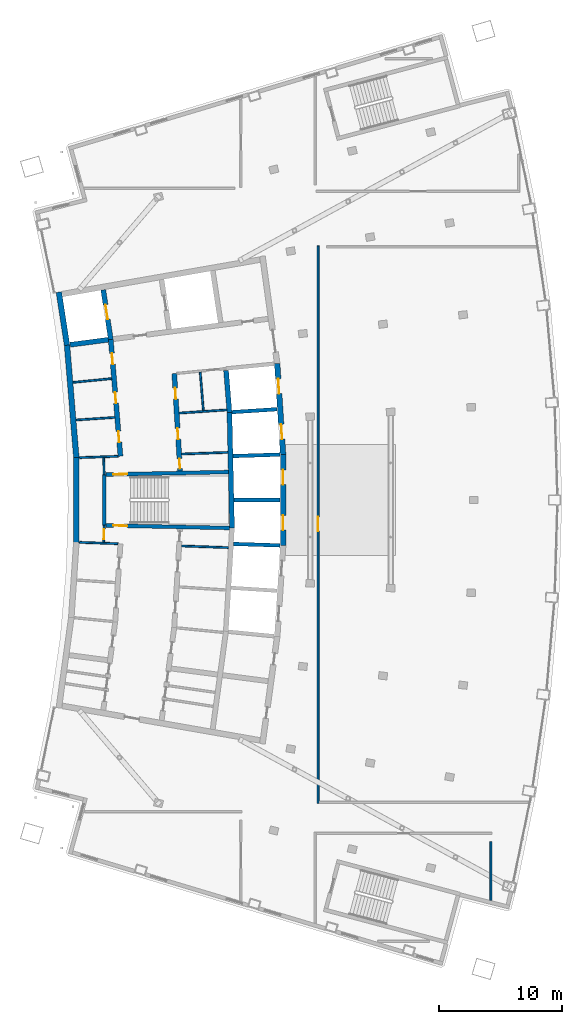
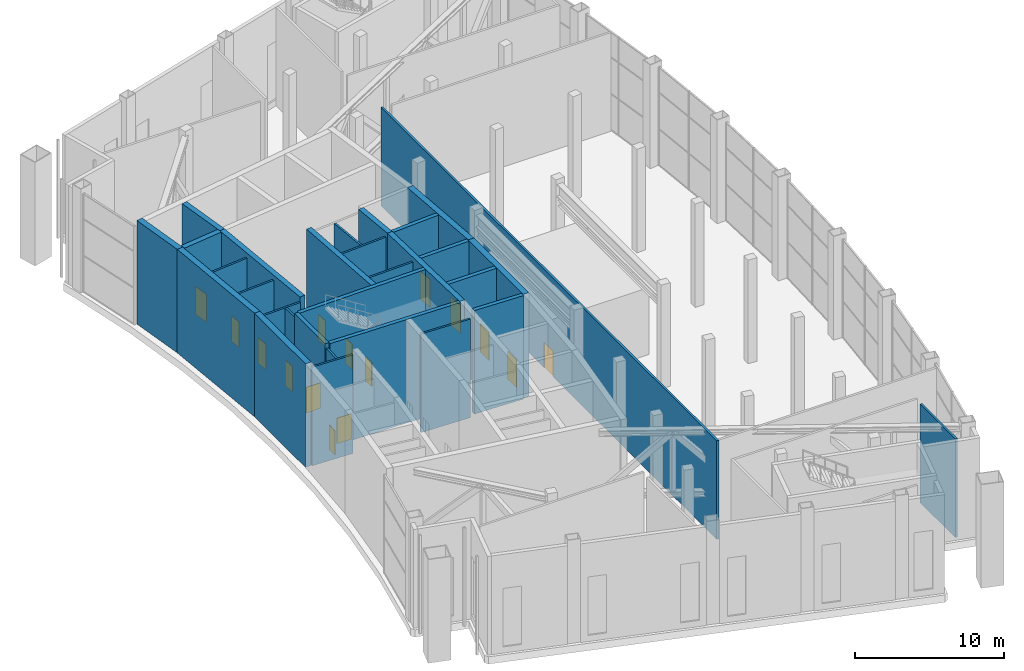
# One storey, part 19 of 25: 30 walls, 15 doors, 15 openings.
"""IFC4 building model written with IfcOpenShell, lengths in metres."""

from ifc_helpers import new_model, si_unit, direction, frame, frame_2d, origin, place, context, subcontext, project, spatial, rectangle, extrude, material, layer, layer_set, type_object, element, fill, save


model = new_model("IFC4")

# Units and contexts
model_context = context("Model", 3, precision=1e-05, world=origin(), true_north=direction((0.0, 1.0)))
body_context = subcontext(model_context, "Body", "Model", "MODEL_VIEW")
ifc_project = project(units=[si_unit("LENGTHUNIT", "METRE"), si_unit("AREAUNIT", "SQUARE_METRE"), si_unit("VOLUMEUNIT", "CUBIC_METRE"), si_unit("PLANEANGLEUNIT", "RADIAN"), si_unit("MASSUNIT", "GRAM", prefix="KILO")], contexts=[model_context])

# Site, building, storey
site_placement = place(None, origin())
site = spatial("IfcSite", under=ifc_project, at=site_placement, CompositionType="ELEMENT")
building_placement = place(site_placement, origin())
building = spatial("IfcBuilding", under=site, at=building_placement, Name="Alderwake Tower", CompositionType="ELEMENT")
storey_placement = place(building_placement, frame((0.0, 0.0, 296.0)))
storey = spatial("IfcBuildingStorey", under=building, at=storey_placement, Name="L73", CompositionType="ELEMENT", Elevation=296.0)

# Walls
ifc_material_1 = material(Name="Gypsum shaft wall system, rated")
ifc_layer_1 = layer(ifc_material_1, 0.14990234375)
ifc_layer_set_1 = layer_set([ifc_layer_1], Name="Core riser partition 150")
wall_type_1 = type_object("IfcWallType", Name="Core riser partition 150", PredefinedType="PARTITIONING", material=ifc_layer_set_1)
wall_1_placement = place(storey_placement, frame((25.1904296875, 57.276611328125, 0.0), z_axis=(0.0, 0.0, 1.0), x_axis=(0.999373547283, -0.03539086028, 0.0)))
element("IfcWall", 1, at=wall_1_placement, inside=storey, type_object=wall_type_1, Name="CW/L73/PR-37_+86", PredefinedType="PARTITIONING", context=body_context, shape_type="SweptSolid", body=[
    extrude(rectangle(XDim=3.794189453125, YDim=0.14990234375, at=frame_2d((1.89697265625, 0.0))), origin(), (0.0, 0.0, 1.0), 8.10009765625),
])
wall_2_placement = place(storey_placement, frame((25.191162109375, 64.723388671875, 0.0), z_axis=(0.0, 0.0, 1.0), x_axis=(0.999373256208, 0.035399078746, 0.0)))
element("IfcWall", 2, at=wall_2_placement, inside=storey, type_object=wall_type_1, Name="CW/L73/PR+37_+86", PredefinedType="PARTITIONING", context=body_context, shape_type="SweptSolid", body=[
    extrude(rectangle(XDim=3.751953125, YDim=0.14990234375, at=frame_2d((1.8759765625, 0.0))), origin(), (0.0, 0.0, 1.0), 8.10009765625),
])

# Wall, opening, door
ifc_material_2 = material(Name="Gypsum shaft wall system, rated")
ifc_layer_2 = layer(ifc_material_2, 0.14990234375)
ifc_layer_set_2 = layer_set([ifc_layer_2], Name="Core room partition 150")
wall_type_2 = type_object("IfcWallType", Name="Core room partition 150", PredefinedType="PARTITIONING", material=ifc_layer_set_2)
wall_3_placement = place(storey_placement, frame((18.918701171875, 58.94384765625, 0.0), z_axis=(0.0, 0.0, 1.0), x_axis=(-0.027811602725, -0.999613182563, 0.0)))
wall_3 = element("IfcWall", 3, at=wall_3_placement, inside=storey, type_object=wall_type_2, Name="CW/L73/PA+24_-37", PredefinedType="PARTITIONING", context=body_context, shape_type="SweptSolid", body=[
    extrude(rectangle(XDim=1.369384765625, YDim=0.14990234375, at=frame_2d((0.6845703125, 0.0))), origin(), (0.0, 0.0, 1.0), 8.10009765625),
])
opening_1_placement = place(wall_3_placement, frame((0.322998046875, 0.0, 0.0)))
opening_1 = element("IfcOpeningElement", 4, at=opening_1_placement, cuts=wall_3, Name="Opening C004", PredefinedType="OPENING", context=body_context, shape_type="SweptSolid", body=[
    extrude(rectangle(XDim=0.800048828125, YDim=2.0, at=frame_2d((0.39990234375, 1.0))), frame((0.0, 0.0849609375, 0.0), z_axis=(0.0, -1.0, 0.0), x_axis=(1.0, 0.0, 0.0)), (0.0, 0.0, 1.0), 0.169921875),
])
ifc_material_3 = material(Name="Painted steel leaf, rated", Category="steel")
door_type_1 = type_object("IfcDoorType", Name="Riser access door 800", OperationType="SINGLE_SWING_LEFT", PredefinedType="DOOR", material=ifc_material_3)
door_1_placement = place(opening_1_placement, origin())
door_1 = element("IfcDoor", 5, at=door_1_placement, inside=storey, type_object=door_type_1, Name="Riser access door", OperationType="SINGLE_SWING_RIGHT", OverallHeight=2.0, OverallWidth=0.800048828125, PredefinedType="DOOR", context=body_context, shape_type="SweptSolid", body=[
    extrude(rectangle(XDim=0.800048828125, YDim=2.0, at=frame_2d((0.39990234375, 1.0))), frame((0.0, 0.02490234375, 0.0), z_axis=(0.0, -1.0, 0.0), x_axis=(1.0, 0.0, 0.0)), (0.0, 0.0, 1.0), 0.050048828125),
])
fill(opening_1, door_1)

# Walls
wall_4_placement = place(storey_placement, frame((18.918701171875, 63.05517578125, 0.0), z_axis=(0.0, 0.0, 1.0), x_axis=(-0.027791791559, 0.99961373356, 0.0)))
element("IfcWall", 6, at=wall_4_placement, inside=storey, type_object=wall_type_2, Name="CW/L73/PA+24_+22", PredefinedType="PARTITIONING", context=body_context, shape_type="SweptSolid", body=[
    extrude(rectangle(XDim=1.370361328125, YDim=0.14990234375, at=frame_2d((0.68505859375, 0.0))), origin(), (0.0, 0.0, 1.0), 8.10009765625),
])
wall_5_placement = place(storey_placement, frame((26.954833984375, 68.245361328125, 0.0), z_axis=(0.0, 0.0, 1.0), x_axis=(-0.082122484008, 0.996622244193, 0.0)))
element("IfcWall", 7, at=wall_5_placement, inside=storey, type_object=wall_type_2, Name="CW/L73/PA+107_+70", PredefinedType="PARTITIONING", context=body_context, shape_type="SweptSolid", body=[
    extrude(rectangle(XDim=3.13037109375, YDim=0.14990234375, at=frame_2d((1.565185546875, 0.0))), origin(), (0.0, 0.0, 1.0), 8.10009765625),
])
for number, where, z_axis, x_axis, name in (
    (8, (16.91943359375, 57.5693359375, 0.0), (0.0, 0.0, 1.0), (0.99937416876, -0.035373306522, 0.0), "CW/L73/PR-37_+0"),
    (9, (16.91943359375, 64.4306640625, 0.0), (0.0, 0.0, 1.0), (0.99937416876, 0.035373306522, 0.0), "CW/L73/PR+37_+0"),
):
    element("IfcWall", number, at=place(storey_placement, frame(where, z_axis=z_axis, x_axis=x_axis)), inside=storey, type_object=wall_type_2, Name=name, PredefinedType="PARTITIONING", context=body_context, shape_type="SweptSolid", body=[
        extrude(rectangle(XDim=3.11962890625, YDim=0.14990234375, at=frame_2d((1.559814453125, 0.0))), origin(), (0.0, 0.0, 1.0), 8.10009765625),
    ])
wall_6_placement = place(storey_placement, frame((16.666748046875, 67.48046875, 0.0), z_axis=(0.0, 0.0, 1.0), x_axis=(0.997759431971, 0.066903781007, 0.0)))
element("IfcWall", 10, at=wall_6_placement, inside=storey, type_object=wall_type_2, Name="CW/L73/PR+70_+0", PredefinedType="PARTITIONING", context=body_context, shape_type="SweptSolid", body=[
    extrude(rectangle(XDim=3.116455078125, YDim=0.14990234375, at=frame_2d((1.55810546875, 0.0))), origin(), (0.0, 0.0, 1.0), 8.10009765625),
])
wall_7_placement = place(storey_placement, frame((24.992431640625, 68.038818359375, 0.0), z_axis=(0.0, 0.0, 1.0), x_axis=(0.997760236964, 0.066891774789, 0.0)))
element("IfcWall", 11, at=wall_7_placement, inside=storey, type_object=wall_type_2, Name="CW/L73/PR+70_+86", PredefinedType="PARTITIONING", context=body_context, shape_type="SweptSolid", body=[
    extrude(rectangle(XDim=3.86865234375, YDim=0.14990234375, at=frame_2d((1.934326171875, 0.0))), origin(), (0.0, 0.0, 1.0), 8.10009765625),
])
wall_8_placement = place(storey_placement, frame((16.4140625, 70.52734375, 0.0), z_axis=(0.0, 0.0, 1.0), x_axis=(0.995155156245, 0.098316911052, 0.0)))
element("IfcWall", 12, at=wall_8_placement, inside=storey, type_object=wall_type_2, Name="CW/L73/PR+103_+0", PredefinedType="PARTITIONING", context=body_context, shape_type="SweptSolid", body=[
    extrude(rectangle(XDim=3.116455078125, YDim=0.14990234375, at=frame_2d((1.55810546875, 0.0))), origin(), (0.0, 0.0, 1.0), 8.10009765625),
])
ifc_material_4 = material(Name="Concrete C70/85", Category="concrete")
ifc_layer_3 = layer(ifc_material_4, 0.449951171875)
ifc_layer_set_3 = layer_set([ifc_layer_3], Name="Core wall outer 450 C70-85")
wall_type_3 = type_object("IfcWallType", Name="Core wall outer 450 C70-85", PredefinedType="SHEAR", material=ifc_layer_set_3)
wall_9_placement = place(storey_placement, frame((16.66455078125, 57.5703125, 0.0), z_axis=(0.0, 0.0, 1.0), x_axis=(0.0, 1.0, 0.0)))
element("IfcWall", 13, at=wall_9_placement, inside=storey, type_object=wall_type_3, Name="Core wall CW.029", PredefinedType="SHEAR", context=body_context, shape_type="SweptSolid", body=[
    extrude(rectangle(XDim=6.861083984375, YDim=0.449951171875, at=frame_2d((3.4306640625, 0.0))), origin(), (0.0, 0.0, 1.0), 8.5),
])
wall_10_placement = place(storey_placement, frame((16.665283203125, 64.411865234375, 0.0), z_axis=(0.0, 0.0, 1.0), x_axis=(-0.082622520262, 0.9965809145, 0.0)))
element("IfcWall", 14, at=wall_10_placement, inside=storey, type_object=wall_type_3, Name="Core wall CW.026", PredefinedType="SHEAR", context=body_context, shape_type="SweptSolid", body=[
    extrude(rectangle(XDim=9.171875, YDim=0.449951171875, at=frame_2d((4.5859375, 0.0))), origin(), (0.0, 0.0, 1.0), 8.5),
])
wall_11_placement = place(storey_placement, frame((15.909423828125, 73.535888671875, 0.0), z_axis=(0.0, 0.0, 1.0), x_axis=(-0.151913962362, 0.988393721166, 0.0)))
element("IfcWall", 15, at=wall_11_placement, inside=storey, type_object=wall_type_3, Name="Core wall CW.025", PredefinedType="SHEAR", context=body_context, shape_type="SweptSolid", body=[
    extrude(rectangle(XDim=4.355224609375, YDim=0.449951171875, at=frame_2d((2.177734375, 0.0))), origin(), (0.0, 0.0, 1.0), 8.5),
])

# Wall, openings, doors
wall_12_placement = place(storey_placement, frame((33.4150390625, 57.30322265625, 0.0), z_axis=(0.0, 0.0, 1.0), x_axis=(0.0, 1.0, 0.0)))
wall_12 = element("IfcWall", 16, at=wall_12_placement, inside=storey, type_object=wall_type_3, Name="Core wall CW.023", PredefinedType="SHEAR", context=body_context, shape_type="SweptSolid", body=[
    extrude(rectangle(XDim=7.3935546875, YDim=0.449951171875, at=frame_2d((3.69677734375, 0.0))), origin(), (0.0, 0.0, 1.0), 8.5),
])
opening_2_placement = place(wall_12_placement, frame((1.251953125, 0.0, 0.0)))
opening_2 = element("IfcOpeningElement", 17, at=opening_2_placement, cuts=wall_12, Name="Opening LD-HP3", PredefinedType="OPENING", context=body_context, shape_type="SweptSolid", body=[
    extrude(rectangle(XDim=1.199951171875, YDim=2.300048828125, at=frame_2d((0.60009765625, 1.14990234375))), frame((0.0, 0.23486328125, 0.0), z_axis=(0.0, -1.0, 0.0), x_axis=(1.0, 0.0, 0.0)), (0.0, 0.0, 1.0), 0.469970703125),
])
opening_3_placement = place(wall_12_placement, frame((4.94140625, 0.0, 0.0)))
opening_3 = element("IfcOpeningElement", 18, at=opening_3_placement, cuts=wall_12, Name="Opening LD-HP4", PredefinedType="OPENING", context=body_context, shape_type="SweptSolid", body=[
    extrude(rectangle(XDim=1.199951171875, YDim=2.300048828125, at=frame_2d((0.60009765625, 1.14990234375))), frame((0.0, 0.23486328125, 0.0), z_axis=(0.0, -1.0, 0.0), x_axis=(1.0, 0.0, 0.0)), (0.0, 0.0, 1.0), 0.469970703125),
])
ifc_material_5 = material(Name="Stainless steel sliding leaf", Category="steel")
door_type_2 = type_object("IfcDoorType", Name="Lift landing door 1200", OperationType="SLIDING_TO_LEFT", PredefinedType="DOOR", material=ifc_material_5)
door_2_placement = place(opening_2_placement, origin())
door_2 = element("IfcDoor", 19, at=door_2_placement, inside=storey, type_object=door_type_2, Name="Lift landing door HP3", OperationType="SLIDING_TO_LEFT", OverallHeight=2.300048828125, OverallWidth=1.199951171875, PredefinedType="DOOR", context=body_context, shape_type="SweptSolid", body=[
    extrude(rectangle(XDim=1.199951171875, YDim=2.300048828125, at=frame_2d((0.60009765625, 1.14990234375))), frame((0.0, 0.02490234375, 0.0), z_axis=(0.0, -1.0, 0.0), x_axis=(1.0, 0.0, 0.0)), (0.0, 0.0, 1.0), 0.050048828125),
])
fill(opening_2, door_2)
door_3_placement = place(opening_3_placement, origin())
door_3 = element("IfcDoor", 20, at=door_3_placement, inside=storey, type_object=door_type_2, Name="Lift landing door HP4", OperationType="SLIDING_TO_LEFT", OverallHeight=2.300048828125, OverallWidth=1.199951171875, PredefinedType="DOOR", context=body_context, shape_type="SweptSolid", body=[
    extrude(rectangle(XDim=1.199951171875, YDim=2.300048828125, at=frame_2d((0.60009765625, 1.14990234375))), frame((0.0, 0.02490234375, 0.0), z_axis=(0.0, -1.0, 0.0), x_axis=(1.0, 0.0, 0.0)), (0.0, 0.0, 1.0), 0.050048828125),
])
fill(opening_3, door_3)

wall_13_placement = place(storey_placement, frame((33.41552734375, 64.680908203125, 0.0), z_axis=(0.0, 0.0, 1.0), x_axis=(-0.064980500916, 0.997886533881, 0.0)))
wall_13 = element("IfcWall", 21, at=wall_13_placement, inside=storey, type_object=wall_type_3, Name="Core wall CW.020", PredefinedType="SHEAR", context=body_context, shape_type="SweptSolid", body=[
    extrude(rectangle(XDim=7.39404296875, YDim=0.449951171875, at=frame_2d((3.697021484375, 0.0))), origin(), (0.0, 0.0, 1.0), 8.5),
])
opening_4_placement = place(wall_13_placement, frame((1.251953125, 0.0, 0.0)))
opening_4 = element("IfcOpeningElement", 22, at=opening_4_placement, cuts=wall_13, Name="Opening LD-HP5", PredefinedType="OPENING", context=body_context, shape_type="SweptSolid", body=[
    extrude(rectangle(XDim=1.199951171875, YDim=2.300048828125, at=frame_2d((0.60009765625, 1.14990234375))), frame((0.0, 0.23486328125, 0.0), z_axis=(0.0, -1.0, 0.0), x_axis=(1.0, 0.0, 0.0)), (0.0, 0.0, 1.0), 0.469970703125),
])
opening_5_placement = place(wall_13_placement, frame((4.94140625, 0.0, 0.0)))
opening_5 = element("IfcOpeningElement", 23, at=opening_5_placement, cuts=wall_13, Name="Opening LD-HP6", PredefinedType="OPENING", context=body_context, shape_type="SweptSolid", body=[
    extrude(rectangle(XDim=1.199951171875, YDim=2.300048828125, at=frame_2d((0.60009765625, 1.14990234375))), frame((0.0, 0.23486328125, 0.0), z_axis=(0.0, -1.0, 0.0), x_axis=(1.0, 0.0, 0.0)), (0.0, 0.0, 1.0), 0.469970703125),
])
door_4_placement = place(opening_4_placement, origin())
door_4 = element("IfcDoor", 24, at=door_4_placement, inside=storey, type_object=door_type_2, Name="Lift landing door HP5", OperationType="SLIDING_TO_LEFT", OverallHeight=2.300048828125, OverallWidth=1.199951171875, PredefinedType="DOOR", context=body_context, shape_type="SweptSolid", body=[
    extrude(rectangle(XDim=1.199951171875, YDim=2.300048828125, at=frame_2d((0.60009765625, 1.14990234375))), frame((0.0, 0.02490234375, 0.0), z_axis=(0.0, -1.0, 0.0), x_axis=(1.0, 0.0, 0.0)), (0.0, 0.0, 1.0), 0.050048828125),
])
fill(opening_4, door_4)
door_5_placement = place(opening_5_placement, origin())
door_5 = element("IfcDoor", 25, at=door_5_placement, inside=storey, type_object=door_type_2, Name="Lift landing door HP6", OperationType="SLIDING_TO_LEFT", OverallHeight=2.300048828125, OverallWidth=1.199951171875, PredefinedType="DOOR", context=body_context, shape_type="SweptSolid", body=[
    extrude(rectangle(XDim=1.199951171875, YDim=2.300048828125, at=frame_2d((0.60009765625, 1.14990234375))), frame((0.0, 0.02490234375, 0.0), z_axis=(0.0, -1.0, 0.0), x_axis=(1.0, 0.0, 0.0)), (0.0, 0.0, 1.0), 0.050048828125),
])
fill(opening_5, door_5)

# Walls
ifc_material_6 = material(Name="Concrete C70/85", Category="concrete")
ifc_layer_4 = layer(ifc_material_6, 0.300048828125)
ifc_layer_set_4 = layer_set([ifc_layer_4], Name="Core wall shaft 300 C70-85")
wall_type_4 = type_object("IfcWallType", Name="Core wall shaft 300 C70-85", PredefinedType="SHEAR", material=ifc_layer_set_4)
wall_14_placement = place(storey_placement, frame((29.400634765625, 57.441650390625, 0.0), z_axis=(0.0, 0.0, 1.0), x_axis=(0.999473209295, -0.032454643762, 0.0)))
element("IfcWall", 26, at=wall_14_placement, inside=storey, type_object=wall_type_4, Name="Core wall CW.075", PredefinedType="SHEAR", context=body_context, shape_type="SweptSolid", body=[
    extrude(rectangle(XDim=3.76123046875, YDim=0.300048828125, at=frame_2d((1.880615234375, 0.0))), origin(), (0.0, 0.0, 1.0), 8.5),
])
wall_15_placement = place(storey_placement, frame((29.426025390625, 61.0, 0.0), z_axis=(0.0, 0.0, 1.0), x_axis=(1.0, 0.0, 0.0)))
element("IfcWall", 27, at=wall_15_placement, inside=storey, type_object=wall_type_4, Name="Core wall CW.048", PredefinedType="SHEAR", context=body_context, shape_type="SweptSolid", body=[
    extrude(rectangle(XDim=3.73388671875, YDim=0.300048828125, at=frame_2d((1.866943359375, 0.0))), origin(), (0.0, 0.0, 1.0), 8.5),
])
wall_16_placement = place(storey_placement, frame((29.347412109375, 64.556396484375, 0.0), z_axis=(0.0, 0.0, 1.0), x_axis=(0.999471295141, 0.032513538546, 0.0)))
element("IfcWall", 28, at=wall_16_placement, inside=storey, type_object=wall_type_4, Name="Core wall CW.058", PredefinedType="SHEAR", context=body_context, shape_type="SweptSolid", body=[
    extrude(rectangle(XDim=3.814453125, YDim=0.300048828125, at=frame_2d((1.9072265625, 0.0))), origin(), (0.0, 0.0, 1.0), 8.5),
])
wall_17_placement = place(storey_placement, frame((29.268798828125, 68.115478515625, 0.0), z_axis=(0.0, 0.0, 1.0), x_axis=(0.99788697526, 0.064973722435, 0.0)))
element("IfcWall", 29, at=wall_17_placement, inside=storey, type_object=wall_type_4, Name="Core wall CW.061", PredefinedType="SHEAR", context=body_context, shape_type="SweptSolid", body=[
    extrude(rectangle(XDim=3.659912109375, YDim=0.300048828125, at=frame_2d((1.830078125, 0.0))), origin(), (0.0, 0.0, 1.0), 8.5),
])

# Wall, openings, doors
ifc_material_7 = material(Name="Concrete C70/85", Category="concrete")
ifc_layer_5 = layer(ifc_material_7, 0.39990234375)
ifc_layer_set_5 = layer_set([ifc_layer_5], Name="Core wall spine 400 C70-85")
wall_type_5 = type_object("IfcWallType", Name="Core wall spine 400 C70-85", PredefinedType="SHEAR", material=ifc_layer_set_5)
wall_18_placement = place(storey_placement, frame((19.452392578125, 74.014892578125, 0.0), z_axis=(0.0, 0.0, 1.0), x_axis=(0.082628585297, -0.996580411654, 0.0)))
wall_18 = element("IfcWall", 30, at=wall_18_placement, inside=storey, type_object=wall_type_5, Name="Core wall CW.031", PredefinedType="SHEAR", context=body_context, shape_type="SweptSolid", body=[
    extrude(rectangle(XDim=9.499267578125, YDim=0.39990234375, at=frame_2d((4.74951171875, 0.0))), origin(), (0.0, 0.0, 1.0), 8.5),
])
opening_6_placement = place(wall_18_placement, frame((7.468017578125, 0.0, 0.0)))
opening_6 = element("IfcOpeningElement", 31, at=opening_6_placement, cuts=wall_18, Name="Opening C053", PredefinedType="OPENING", context=body_context, shape_type="SweptSolid", body=[
    extrude(rectangle(XDim=0.89990234375, YDim=2.10009765625, at=frame_2d((0.449951171875, 1.050048828125))), frame((0.0, 0.2099609375, 0.0), z_axis=(0.0, -1.0, 0.0), x_axis=(1.0, 0.0, 0.0)), (0.0, 0.0, 1.0), 0.419921875),
])
opening_7_placement = place(wall_18_placement, frame((4.30322265625, 0.0, 0.0)))
opening_7 = element("IfcOpeningElement", 32, at=opening_7_placement, cuts=wall_18, Name="Opening C055", PredefinedType="OPENING", context=body_context, shape_type="SweptSolid", body=[
    extrude(rectangle(XDim=0.89990234375, YDim=2.10009765625, at=frame_2d((0.449951171875, 1.050048828125))), frame((0.0, 0.2099609375, 0.0), z_axis=(0.0, -1.0, 0.0), x_axis=(1.0, 0.0, 0.0)), (0.0, 0.0, 1.0), 0.419921875),
])
opening_8_placement = place(wall_18_placement, frame((1.138671875, 0.0, 0.0)))
opening_8 = element("IfcOpeningElement", 33, at=opening_8_placement, cuts=wall_18, Name="Opening C056", PredefinedType="OPENING", context=body_context, shape_type="SweptSolid", body=[
    extrude(rectangle(XDim=0.89990234375, YDim=2.10009765625, at=frame_2d((0.449951171875, 1.050048828125))), frame((0.0, 0.2099609375, 0.0), z_axis=(0.0, -1.0, 0.0), x_axis=(1.0, 0.0, 0.0)), (0.0, 0.0, 1.0), 0.419921875),
])
ifc_material_8 = material(Name="Painted steel leaf", Category="steel")
door_type_3 = type_object("IfcDoorType", Name="Core room door 900", OperationType="SINGLE_SWING_LEFT", PredefinedType="DOOR", material=ifc_material_8)
door_6_placement = place(opening_6_placement, origin())
door_6 = element("IfcDoor", 34, at=door_6_placement, inside=storey, type_object=door_type_3, Name="Room door", OperationType="SINGLE_SWING_LEFT", OverallHeight=2.10009765625, OverallWidth=0.89990234375, PredefinedType="DOOR", context=body_context, shape_type="SweptSolid", body=[
    extrude(rectangle(XDim=0.89990234375, YDim=2.10009765625, at=frame_2d((0.449951171875, 1.050048828125))), frame((0.0, 0.02490234375, 0.0), z_axis=(0.0, -1.0, 0.0), x_axis=(1.0, 0.0, 0.0)), (0.0, 0.0, 1.0), 0.050048828125),
])
fill(opening_6, door_6)
door_7_placement = place(opening_7_placement, origin())
door_7 = element("IfcDoor", 35, at=door_7_placement, inside=storey, type_object=door_type_3, Name="Room door", OperationType="SINGLE_SWING_RIGHT", OverallHeight=2.10009765625, OverallWidth=0.89990234375, PredefinedType="DOOR", context=body_context, shape_type="SweptSolid", body=[
    extrude(rectangle(XDim=0.89990234375, YDim=2.10009765625, at=frame_2d((0.449951171875, 1.050048828125))), frame((0.0, 0.02490234375, 0.0), z_axis=(0.0, -1.0, 0.0), x_axis=(1.0, 0.0, 0.0)), (0.0, 0.0, 1.0), 0.050048828125),
])
fill(opening_7, door_7)
door_8_placement = place(opening_8_placement, origin())
door_8 = element("IfcDoor", 36, at=door_8_placement, inside=storey, type_object=door_type_3, Name="Room door", OperationType="SINGLE_SWING_LEFT", OverallHeight=2.10009765625, OverallWidth=0.89990234375, PredefinedType="DOOR", context=body_context, shape_type="SweptSolid", body=[
    extrude(rectangle(XDim=0.89990234375, YDim=2.10009765625, at=frame_2d((0.449951171875, 1.050048828125))), frame((0.0, 0.02490234375, 0.0), z_axis=(0.0, -1.0, 0.0), x_axis=(1.0, 0.0, 0.0)), (0.0, 0.0, 1.0), 0.050048828125),
])
fill(opening_8, door_8)

# Wall, opening, door
wall_19_placement = place(storey_placement, frame((19.4541015625, 74.00048828125, 0.0), z_axis=(0.0, 0.0, 1.0), x_axis=(-0.149723541031, 0.988727900517, 0.0)))
wall_19 = element("IfcWall", 37, at=wall_19_placement, inside=storey, type_object=wall_type_5, Name="Core wall CW.030", PredefinedType="SHEAR", context=body_context, shape_type="SweptSolid", body=[
    extrude(rectangle(XDim=4.065185546875, YDim=0.39990234375, at=frame_2d((2.03271484375, 0.0))), origin(), (0.0, 0.0, 1.0), 8.5),
])
opening_9_placement = place(wall_19_placement, frame((1.6611328125, 0.0, 0.0)))
opening_9 = element("IfcOpeningElement", 38, at=opening_9_placement, cuts=wall_19, Name="Opening LD-FF1", PredefinedType="OPENING", context=body_context, shape_type="SweptSolid", body=[
    extrude(rectangle(XDim=1.199951171875, YDim=2.300048828125, at=frame_2d((0.60009765625, 1.14990234375))), frame((0.0, 0.2099609375, 0.0), z_axis=(0.0, -1.0, 0.0), x_axis=(1.0, 0.0, 0.0)), (0.0, 0.0, 1.0), 0.419921875),
])
door_9_placement = place(opening_9_placement, origin())
door_9 = element("IfcDoor", 39, at=door_9_placement, inside=storey, type_object=door_type_2, Name="Lift landing door FF1", OperationType="SLIDING_TO_LEFT", OverallHeight=2.300048828125, OverallWidth=1.199951171875, PredefinedType="DOOR", context=body_context, shape_type="SweptSolid", body=[
    extrude(rectangle(XDim=1.199951171875, YDim=2.300048828125, at=frame_2d((0.60009765625, 1.14990234375))), frame((0.0, 0.02490234375, 0.0), z_axis=(0.0, -1.0, 0.0), x_axis=(1.0, 0.0, 0.0)), (0.0, 0.0, 1.0), 0.050048828125),
])
fill(opening_9, door_9)

# Wall, openings, doors
wall_20_placement = place(storey_placement, frame((25.073974609375, 63.335693359375, 0.0), z_axis=(0.0, 0.0, 1.0), x_axis=(-0.059848641072, 0.998207463487, 0.0)))
wall_20 = element("IfcWall", 40, at=wall_20_placement, inside=storey, type_object=wall_type_5, Name="Core wall CW.045", PredefinedType="SHEAR", context=body_context, shape_type="SweptSolid", body=[
    extrude(rectangle(XDim=7.913818359375, YDim=0.39990234375, at=frame_2d((3.95703125, 0.0))), origin(), (0.0, 0.0, 1.0), 8.5),
])
opening_10_placement = place(wall_20_placement, frame((0.216064453125, 0.0, 0.0)))
opening_10 = element("IfcOpeningElement", 41, at=opening_10_placement, cuts=wall_20, Name="Opening C005", PredefinedType="OPENING", context=body_context, shape_type="SweptSolid", body=[
    extrude(rectangle(XDim=0.800048828125, YDim=2.0, at=frame_2d((0.39990234375, 1.0))), frame((0.0, 0.2099609375, 0.0), z_axis=(0.0, -1.0, 0.0), x_axis=(1.0, 0.0, 0.0)), (0.0, 0.0, 1.0), 0.419921875),
])
opening_11_placement = place(wall_20_placement, frame((5.856201171875, 0.0, 0.0)))
opening_11 = element("IfcOpeningElement", 42, at=opening_11_placement, cuts=wall_20, Name="Opening C024", PredefinedType="OPENING", context=body_context, shape_type="SweptSolid", body=[
    extrude(rectangle(XDim=0.89990234375, YDim=2.10009765625, at=frame_2d((0.449951171875, 1.050048828125))), frame((0.0, 0.2099609375, 0.0), z_axis=(0.0, -1.0, 0.0), x_axis=(1.0, 0.0, 0.0)), (0.0, 0.0, 1.0), 0.419921875),
])
opening_12_placement = place(wall_20_placement, frame((2.590087890625, 0.0, 0.0)))
opening_12 = element("IfcOpeningElement", 43, at=opening_12_placement, cuts=wall_20, Name="Opening C059", PredefinedType="OPENING", context=body_context, shape_type="SweptSolid", body=[
    extrude(rectangle(XDim=0.89990234375, YDim=2.10009765625, at=frame_2d((0.449951171875, 1.050048828125))), frame((0.0, 0.2099609375, 0.0), z_axis=(0.0, -1.0, 0.0), x_axis=(1.0, 0.0, 0.0)), (0.0, 0.0, 1.0), 0.419921875),
])
door_10_placement = place(opening_11_placement, origin())
door_10 = element("IfcDoor", 44, at=door_10_placement, inside=storey, type_object=door_type_3, Name="Room door", OperationType="SINGLE_SWING_LEFT", OverallHeight=2.10009765625, OverallWidth=0.89990234375, PredefinedType="DOOR", context=body_context, shape_type="SweptSolid", body=[
    extrude(rectangle(XDim=0.89990234375, YDim=2.10009765625, at=frame_2d((0.449951171875, 1.050048828125))), frame((0.0, 0.02490234375, 0.0), z_axis=(0.0, -1.0, 0.0), x_axis=(1.0, 0.0, 0.0)), (0.0, 0.0, 1.0), 0.050048828125),
])
fill(opening_11, door_10)
door_11_placement = place(opening_12_placement, origin())
door_11 = element("IfcDoor", 45, at=door_11_placement, inside=storey, type_object=door_type_3, Name="Room door", OperationType="SINGLE_SWING_RIGHT", OverallHeight=2.10009765625, OverallWidth=0.89990234375, PredefinedType="DOOR", context=body_context, shape_type="SweptSolid", body=[
    extrude(rectangle(XDim=0.89990234375, YDim=2.10009765625, at=frame_2d((0.449951171875, 1.050048828125))), frame((0.0, 0.02490234375, 0.0), z_axis=(0.0, -1.0, 0.0), x_axis=(1.0, 0.0, 0.0)), (0.0, 0.0, 1.0), 0.050048828125),
])
fill(opening_12, door_11)
door_12_placement = place(opening_10_placement, origin())
door_12 = element("IfcDoor", 46, at=door_12_placement, inside=storey, type_object=door_type_1, Name="Riser access door", OperationType="SINGLE_SWING_LEFT", OverallHeight=2.0, OverallWidth=0.800048828125, PredefinedType="DOOR", context=body_context, shape_type="SweptSolid", body=[
    extrude(rectangle(XDim=0.800048828125, YDim=2.0, at=frame_2d((0.39990234375, 1.0))), frame((0.0, 0.02490234375, 0.0), z_axis=(0.0, -1.0, 0.0), x_axis=(1.0, 0.0, 0.0)), (0.0, 0.0, 1.0), 0.050048828125),
])
fill(opening_10, door_12)

# Walls
wall_21_placement = place(storey_placement, frame((29.276611328125, 58.71826171875, 0.0), z_axis=(0.0, 0.0, 1.0), x_axis=(-0.022119171053, 0.999755341207, 0.0)))
element("IfcWall", 47, at=wall_21_placement, inside=storey, type_object=wall_type_5, Name="Core wall CW.007", PredefinedType="SHEAR", context=body_context, shape_type="SweptSolid", body=[
    extrude(rectangle(XDim=9.392822265625, YDim=0.39990234375, at=frame_2d((4.6962890625, 0.0))), origin(), (0.0, 0.0, 1.0), 8.5),
])
wall_22_placement = place(storey_placement, frame((29.069580078125, 68.09619140625, 0.0), z_axis=(0.0, 0.0, 1.0), x_axis=(-0.080544811251, 0.996750988653, 0.0)))
element("IfcWall", 48, at=wall_22_placement, inside=storey, type_object=wall_type_5, Name="Core wall CW.003", PredefinedType="SHEAR", context=body_context, shape_type="SweptSolid", body=[
    extrude(rectangle(XDim=3.409912109375, YDim=0.39990234375, at=frame_2d((1.705078125, 0.0))), origin(), (0.0, 0.0, 1.0), 8.5),
])
wall_23_placement = place(storey_placement, frame((16.1611328125, 73.5771484375, 0.0), z_axis=(0.0, 0.0, 1.0), x_axis=(0.991556277718, 0.129677091727, 0.0)))
element("IfcWall", 49, at=wall_23_placement, inside=storey, type_object=wall_type_5, Name="Core wall CW.051", PredefinedType="SHEAR", context=body_context, shape_type="SweptSolid", body=[
    extrude(rectangle(XDim=3.11962890625, YDim=0.39990234375, at=frame_2d((1.559814453125, 0.0))), origin(), (0.0, 0.0, 1.0), 8.5),
])
ifc_material_9 = material(Name="Concrete C70/85", Category="concrete")
ifc_layer_6 = layer(ifc_material_9, 0.300048828125)
ifc_layer_set_6 = layer_set([ifc_layer_6], Name="Core wall stair enclosure 300 C70-85")
wall_type_6 = type_object("IfcWallType", Name="Core wall stair enclosure 300 C70-85", PredefinedType="SHEAR", material=ifc_layer_set_6)
wall_24_placement = place(storey_placement, frame((18.918701171875, 58.940673828125, 0.0), z_axis=(0.0, 0.0, 1.0), x_axis=(0.0, 1.0, 0.0)))
element("IfcWall", 50, at=wall_24_placement, inside=storey, type_object=wall_type_6, Name="Core wall CW.024", PredefinedType="SHEAR", context=body_context, shape_type="SweptSolid", body=[
    extrude(rectangle(XDim=4.11962890625, YDim=0.300048828125, at=frame_2d((2.059814453125, 0.0))), origin(), (0.0, 0.0, 1.0), 8.5),
])

# Wall, opening, door
wall_25_placement = place(storey_placement, frame((29.076416015625, 58.73095703125, 0.0), z_axis=(0.0, 0.0, 1.0), x_axis=(-0.99978356433, 0.020804434533, 0.0)))
wall_25 = element("IfcWall", 51, at=wall_25_placement, inside=storey, type_object=wall_type_6, Name="Core wall CW.074", PredefinedType="SHEAR", context=body_context, shape_type="SweptSolid", body=[
    extrude(rectangle(XDim=10.010009765625, YDim=0.300048828125, at=frame_2d((5.0048828125, 0.0))), origin(), (0.0, 0.0, 1.0), 8.5),
])
opening_13_placement = place(wall_25_placement, frame((8.309814453125, 0.0, 0.0)))
opening_13 = element("IfcOpeningElement", 52, at=opening_13_placement, cuts=wall_25, Name="Opening C063", PredefinedType="OPENING", context=body_context, shape_type="SweptSolid", body=[
    extrude(rectangle(XDim=1.10009765625, YDim=2.10009765625, at=frame_2d((0.550048828125, 1.050048828125))), frame((0.0, 0.159912109375, 0.0), z_axis=(0.0, -1.0, 0.0), x_axis=(1.0, 0.0, 0.0)), (0.0, 0.0, 1.0), 0.320068359375),
])
ifc_material_10 = material(Name="Steel-framed fire door leaf", Category="steel")
door_type_4 = type_object("IfcDoorType", Name="Core stair door 1100 fire-rated", OperationType="SINGLE_SWING_LEFT", PredefinedType="DOOR", material=ifc_material_10)
door_13_placement = place(opening_13_placement, origin())
door_13 = element("IfcDoor", 53, at=door_13_placement, inside=storey, type_object=door_type_4, Name="Stair door", OperationType="SINGLE_SWING_LEFT", OverallHeight=2.10009765625, OverallWidth=1.10009765625, PredefinedType="DOOR", context=body_context, shape_type="SweptSolid", body=[
    extrude(rectangle(XDim=1.10009765625, YDim=2.10009765625, at=frame_2d((0.550048828125, 1.050048828125))), frame((0.0, 0.02490234375, 0.0), z_axis=(0.0, -1.0, 0.0), x_axis=(1.0, 0.0, 0.0)), (0.0, 0.0, 1.0), 0.050048828125),
])
fill(opening_13, door_13)

wall_26_placement = place(storey_placement, frame((19.068603515625, 63.060791015625, 0.0), z_axis=(0.0, 0.0, 1.0), x_axis=(0.999783782948, 0.020793925895, 0.0)))
wall_26 = element("IfcWall", 54, at=wall_26_placement, inside=storey, type_object=wall_type_6, Name="Core wall CW.057", PredefinedType="SHEAR", context=body_context, shape_type="SweptSolid", body=[
    extrude(rectangle(XDim=9.909423828125, YDim=0.300048828125, at=frame_2d((4.95458984375, 0.0))), origin(), (0.0, 0.0, 1.0), 8.5),
])
opening_14_placement = place(wall_26_placement, frame((0.60009765625, 0.0, 0.0)))
opening_14 = element("IfcOpeningElement", 55, at=opening_14_placement, cuts=wall_26, Name="Opening C064", PredefinedType="OPENING", context=body_context, shape_type="SweptSolid", body=[
    extrude(rectangle(XDim=1.10009765625, YDim=2.10009765625, at=frame_2d((0.550048828125, 1.050048828125))), frame((0.0, 0.159912109375, 0.0), z_axis=(0.0, -1.0, 0.0), x_axis=(1.0, 0.0, 0.0)), (0.0, 0.0, 1.0), 0.320068359375),
])
door_14_placement = place(opening_14_placement, origin())
door_14 = element("IfcDoor", 56, at=door_14_placement, inside=storey, type_object=door_type_4, Name="Stair door", OperationType="SINGLE_SWING_RIGHT", OverallHeight=2.10009765625, OverallWidth=1.10009765625, PredefinedType="DOOR", context=body_context, shape_type="SweptSolid", body=[
    extrude(rectangle(XDim=1.10009765625, YDim=2.10009765625, at=frame_2d((0.550048828125, 1.050048828125))), frame((0.0, 0.02490234375, 0.0), z_axis=(0.0, -1.0, 0.0), x_axis=(1.0, 0.0, 0.0)), (0.0, 0.0, 1.0), 0.050048828125),
])
fill(opening_14, door_14)

ifc_material_11 = material(Name="Gypsum board on metal studs, rated")
ifc_layer_7 = layer(ifc_material_11, 0.159912109375)
ifc_layer_set_7 = layer_set([ifc_layer_7], Name="Corridor wall 160")
wall_type_7 = type_object("IfcWallType", Name="Corridor wall 160", PredefinedType="PARTITIONING", material=ifc_layer_set_7)
wall_27_placement = place(storey_placement, frame((36.2490234375, 36.4208984375, 0.0), z_axis=(0.0, 0.0, 1.0), x_axis=(0.0, 1.0, 0.0)))
wall_27 = element("IfcWall", 57, at=wall_27_placement, inside=storey, type_object=wall_type_7, Name="WL/L73/W11", PredefinedType="PARTITIONING", context=body_context, shape_type="SweptSolid", body=[
    extrude(rectangle(XDim=45.16015625, YDim=0.159912109375, at=frame_2d((22.580078125, 0.0))), origin(), (0.0, 0.0, 1.0), 8.10009765625),
])
opening_15_placement = place(wall_27_placement, frame((22.029052734375, 0.0, 0.0)))
opening_15 = element("IfcOpeningElement", 58, at=opening_15_placement, cuts=wall_27, Name="Opening L73-01", PredefinedType="OPENING", context=body_context, shape_type="SweptSolid", body=[
    extrude(rectangle(XDim=1.199951171875, YDim=2.10009765625, at=frame_2d((0.60009765625, 1.050048828125))), frame((0.0, 0.08984375, 0.0), z_axis=(0.0, -1.0, 0.0), x_axis=(1.0, 0.0, 0.0)), (0.0, 0.0, 1.0), 0.179931640625),
])
ifc_material_12 = material(Name="Steel door leaf in steel frame", Category="steel")
door_type_5 = type_object("IfcDoorType", Name="Plant room door 1200 steel", OperationType="SINGLE_SWING_LEFT", PredefinedType="DOOR", material=ifc_material_12)
door_15_placement = place(opening_15_placement, origin())
door_15 = element("IfcDoor", 59, at=door_15_placement, inside=storey, type_object=door_type_5, Name="DR/L73/01", OperationType="SINGLE_SWING_LEFT", OverallHeight=2.10009765625, OverallWidth=1.199951171875, PredefinedType="DOOR", context=body_context, shape_type="SweptSolid", body=[
    extrude(rectangle(XDim=1.199951171875, YDim=2.10009765625, at=frame_2d((0.60009765625, 1.050048828125))), frame((0.0, 0.02490234375, 0.0), z_axis=(0.0, -1.0, 0.0), x_axis=(1.0, 0.0, 0.0)), (0.0, 0.0, 1.0), 0.050048828125),
])
fill(opening_15, door_15)

# Wall
wall_28_placement = place(storey_placement, frame((50.25, 33.319091796875, 0.0), z_axis=(0.0, 0.0, 1.0), x_axis=(0.0, -1.0, 0.0)))
element("IfcWall", 60, at=wall_28_placement, inside=storey, type_object=wall_type_7, Name="WL/L73/W17", PredefinedType="PARTITIONING", context=body_context, shape_type="SweptSolid", body=[
    extrude(rectangle(XDim=4.754150390625, YDim=0.159912109375, at=frame_2d((2.376953125, 0.0))), origin(), (0.0, 0.0, 1.0), 8.10009765625),
])

save(model, "model.ifc")
